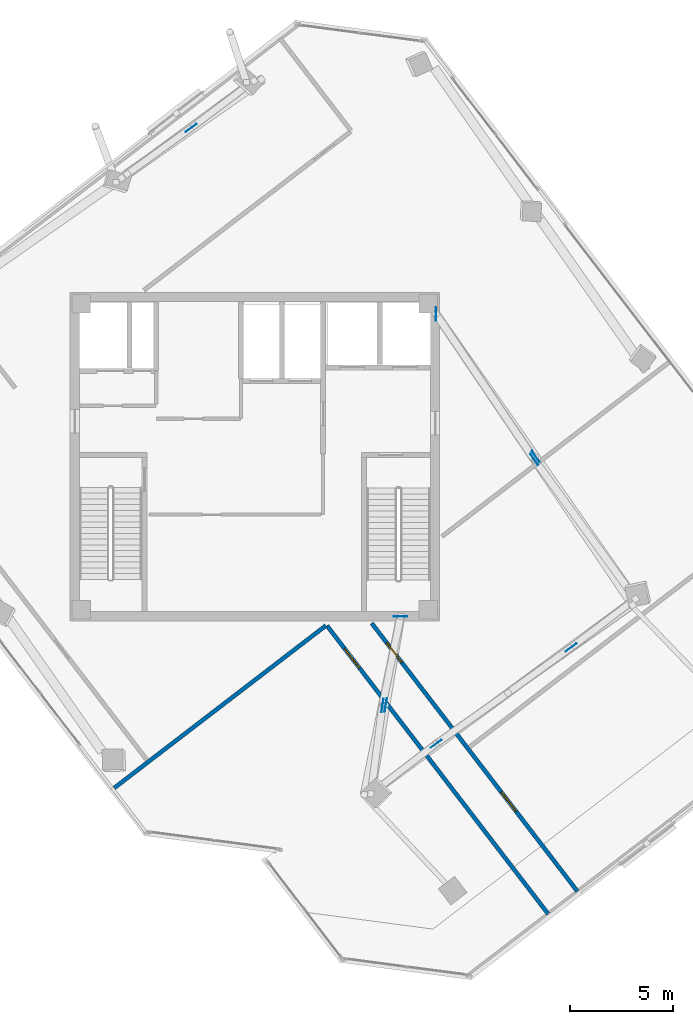
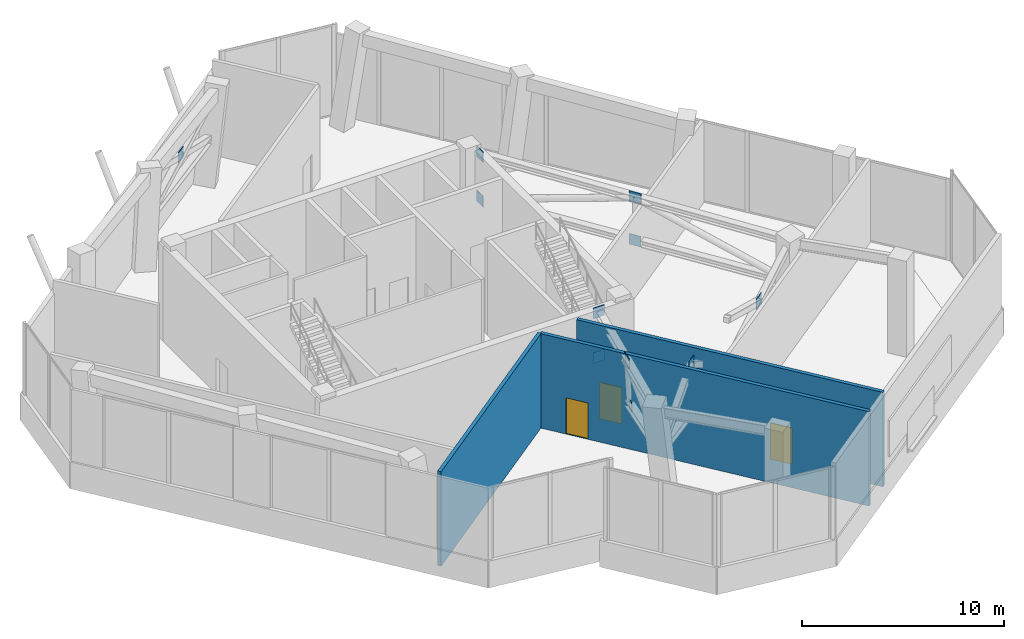
# One storey, part 14 of 19: 11 plates, 3 doors, 3 walls, 3 openings.
"""IFC4 building model written with IfcOpenShell, lengths in metres."""

from ifc_helpers import new_model, si_unit, direction, frame, frame_2d, origin, origin_2d, place, context, subcontext, project, spatial, rectangle, extrude, source, transform, mapped, material, layer, layer_set, type_object, element, fill, save


model = new_model("IFC4")

# Units and contexts
model_context = context("Model", 3, precision=1e-05, world=origin(), true_north=direction((0.0, 1.0)))
body_context = subcontext(model_context, "Body", "Model", "MODEL_VIEW")
ifc_project = project(units=[si_unit("LENGTHUNIT", "METRE"), si_unit("AREAUNIT", "SQUARE_METRE"), si_unit("VOLUMEUNIT", "CUBIC_METRE"), si_unit("PLANEANGLEUNIT", "RADIAN"), si_unit("MASSUNIT", "GRAM", prefix="KILO")], contexts=[model_context])

# Site, building, storey
site_placement = place(None, origin())
site = spatial("IfcSite", under=ifc_project, at=site_placement, CompositionType="ELEMENT")
building_placement = place(site_placement, origin())
building = spatial("IfcBuilding", under=site, at=building_placement, Name="Torre Montelarca", CompositionType="ELEMENT")
storey_placement = place(building_placement, frame((0.0, 0.0, 287.800048828125)))
storey = spatial("IfcBuildingStorey", under=building, at=storey_placement, Name="L65", CompositionType="ELEMENT", Elevation=287.800048828125)

# Plates
ifc_material_1 = material(Name="Steel ASTM A572 Grade 50", Category="steel")
ifc_layer_1 = layer(ifc_material_1, 0.02392578125, Name="Steel ASTM A572 Grade 50", Category="steel")
ifc_layer_set_1 = layer_set([ifc_layer_1], Name="Steel ASTM A572 Grade 50")
plate_type_1 = type_object("IfcPlateType", Name="PL-GUSSET-24", PredefinedType="SHEET", material=ifc_layer_set_1)
shared_shape_1 = source(origin(), body_context, "Body", "SweptSolid", [
    extrude(rectangle(XDim=0.64990234375, YDim=0.02392578125, at=origin_2d()), origin(), (0.0, 0.0, 1.0), 0.64990234375),
])
for number, where, z_axis, x_axis, name in (
    (1, (24.214599609375, 19.881103515625, 5.125), (0.0, 0.0, 1.0), (0.165391874421, 0.986227928968, 0.0), "L65 Outrigger Welded Node Plate 1-APX"),
    (2, (24.3759765625, 19.90185546875, 2.425048828125), (0.0, 0.0, 1.0), (0.165391874421, 0.986227928968, 0.0), "L65 Outrigger Welded Node Plate 1-BOT"),
    (3, (25.10009765625, 24.219970703125, 2.425048828125), (0.0, 0.0, 1.0), (1.0, 0.0, 0.0), "L65 Outrigger Core Wall Cast-In Embed Plate 1-CB"),
    (4, (25.10009765625, 24.219970703125, 5.125), (0.0, 0.0, 1.0), (1.0, 0.0, 0.0), "L65 Outrigger Core Wall Cast-In Embed Plate 1-CT"),
    (5, (31.60888671875, 31.860595703125, 5.125), (0.0, 0.0, 1.0), (-0.573290463408, 0.819352210326, 0.0), "L65 Outrigger Welded Node Plate 2-APX"),
    (6, (31.677490234375, 32.008056640625, 2.425048828125), (0.0, 0.0, 1.0), (-0.573290463408, 0.819352210326, 0.0), "L65 Outrigger Welded Node Plate 2-BOT"),
    (7, (26.820068359375, 38.949951171875, 2.425048828125), (0.0, 0.0, 1.0), (0.0, 1.0, 0.0), "L65 Outrigger Core Wall Cast-In Embed Plate 2-CB"),
    (8, (26.820068359375, 38.949951171875, 5.125), (0.0, 0.0, 1.0), (0.0, 1.0, 0.0), "L65 Outrigger Core Wall Cast-In Embed Plate 2-CT"),
):
    element("IfcPlate", number, at=place(storey_placement, frame(where, z_axis=z_axis, x_axis=x_axis)), inside=storey, type_object=plate_type_1, Name=name, PredefinedType="SHEET", context=body_context, shape_type="MappedRepresentation", body=[
        mapped(shared_shape_1, transform((0.0, 0.0, 0.0), scale=1.0)),
    ])
ifc_layer_2 = layer(ifc_material_1, 0.02392578125, Name="Steel ASTM A572 Grade 50", Category="steel")
ifc_layer_set_2 = layer_set([ifc_layer_2], Name="Steel ASTM A572 Grade 50")
plate_type_2 = type_object("IfcPlateType", Name="PL-GUSSET-24-EXT", PredefinedType="SHEET", material=ifc_layer_set_2)
shared_shape_2 = source(origin(), body_context, "Body", "SweptSolid", [
    extrude(rectangle(XDim=0.64990234375, YDim=0.02392578125, at=origin_2d()), origin(), (0.0, 0.0, 1.0), 0.64990234375),
])
for number, where, z_axis, x_axis, name in (
    (9, (14.891357421875, 48.00390625, 3.77490234375), (0.0, 0.0, 1.0), (0.80541134648, 0.592716258391, 0.0), "L65 Belt-Truss X-Brace Crossing Gusset Plate 1"),
    (10, (26.828125, 18.019287109375, 5.125), (0.0, 0.0, 1.0), (0.80541134648, 0.592716258391, 0.0), "L65 Belt-Truss Node Gusset Plate 2"),
    (11, (33.396728515625, 22.70751953125, 3.77490234375), (0.0, 0.0, 1.0), (0.805307885711, 0.592856820161, 0.0), "L65 Belt-Truss X-Brace Crossing Gusset Plate 3"),
):
    element("IfcPlate", number, at=place(storey_placement, frame(where, z_axis=z_axis, x_axis=x_axis)), inside=storey, type_object=plate_type_2, Name=name, PredefinedType="SHEET", context=body_context, shape_type="MappedRepresentation", body=[
        mapped(shared_shape_2, transform((0.0, 0.0, 0.0), scale=1.0)),
    ])

# Wall
ifc_material_2 = material(Name="Gypsum fireboard and rockwool on steel stud", Category="steel")
ifc_layer_3 = layer(ifc_material_2, 0.199951171875, Name="Gypsum fireboard and rockwool on steel stud", Category="steel")
ifc_layer_set_3 = layer_set([ifc_layer_3], Name="Gypsum fireboard and rockwool on steel stud")
wall_type = type_object("IfcWallType", Name="PW-FIRE-200", PredefinedType="SOLIDWALL", material=ifc_layer_set_3)
wall_1_placement = place(storey_placement, frame((11.16064453125, 15.873291015625, 0.0), z_axis=(0.0, 0.0, 1.0), x_axis=(0.793361083019, 0.608751338357, 0.0)))
element("IfcWall", 12, at=wall_1_placement, inside=storey, type_object=wall_type, Name="L65 Interior Partition W-L65-REFE", PredefinedType="SOLIDWALL", context=body_context, shape_type="SweptSolid", body=[
    extrude(rectangle(XDim=12.97998046875, YDim=0.199951171875, at=frame_2d((6.489990234375, 0.0))), origin(), (0.0, 0.0, 1.0), 5.719970703125),
])

# Wall, opening, door
wall_2_placement = place(storey_placement, frame((21.5146484375, 23.767578125, 0.0), z_axis=(0.0, 0.0, 1.0), x_axis=(0.608757342993, -0.793356475584, 0.0)))
wall_2 = element("IfcWall", 13, at=wall_2_placement, inside=storey, type_object=wall_type, Name="L65 Interior Partition W-L65-CHILN", PredefinedType="SOLIDWALL", context=body_context, shape_type="SweptSolid", body=[
    extrude(rectangle(XDim=17.6796875, YDim=0.199951171875, at=frame_2d((8.83984375, 0.0))), origin(), (0.0, 0.0, 1.0), 5.719970703125),
])
opening_1_placement = place(wall_2_placement, frame((1.39990234375, 0.0, 0.0)))
opening_1 = element("IfcOpeningElement", 14, at=opening_1_placement, cuts=wall_2, Name="Opening FD-120", PredefinedType="OPENING", context=body_context, shape_type="SweptSolid", body=[
    extrude(rectangle(XDim=1.199951171875, YDim=2.199951171875, at=frame_2d((0.60009765625, 1.10009765625))), frame((0.0, 0.10986328125, 0.0), z_axis=(0.0, -1.0, 0.0), x_axis=(1.0, 0.0, 0.0)), (0.0, 0.0, 1.0), 0.219970703125),
])
ifc_material_3 = material(Name="Galvanized steel fire door", Category="steel")
door_type = type_object("IfcDoorType", Name="DR-FIRE-120", OperationType="NOTDEFINED", PredefinedType="DOOR", material=ifc_material_3)
shared_shape_3 = source(origin(), body_context, "Body", "SweptSolid", [
    extrude(rectangle(XDim=1.199951171875, YDim=2.199951171875, at=frame_2d((0.60009765625, 1.10009765625))), frame((0.0, 0.02490234375, 0.0), z_axis=(0.0, -1.0, 0.0), x_axis=(1.0, 0.0, 0.0)), (0.0, 0.0, 1.0), 0.050048828125),
])
door_1_placement = place(opening_1_placement, origin())
door_1 = element("IfcDoor", 15, at=door_1_placement, inside=storey, type_object=door_type, Name="L65 Interior Door 05", OperationType="SINGLE_SWING_RIGHT", OverallHeight=2.199951171875, OverallWidth=1.199951171875, PredefinedType="DOOR", context=body_context, shape_type="MappedRepresentation", body=[
    mapped(shared_shape_3, transform((0.0, 0.0, 0.0), scale=1.0)),
])
fill(opening_1, door_1)

# Wall, openings, doors
wall_3_placement = place(storey_placement, frame((23.69091796875, 23.88818359375, 0.0), z_axis=(0.0, 0.0, 1.0), x_axis=(0.608754272677, -0.793358831487, 0.0)))
wall_3 = element("IfcWall", 16, at=wall_3_placement, inside=storey, type_object=wall_type, Name="L65 Interior Partition W-L65-AHUS", PredefinedType="SOLIDWALL", context=body_context, shape_type="SweptSolid", body=[
    extrude(rectangle(XDim=16.45068359375, YDim=0.199951171875, at=frame_2d((8.225341796875, 0.0))), origin(), (0.0, 0.0, 1.0), 5.719970703125),
])
opening_2_placement = place(wall_3_placement, frame((1.199951171875, 0.0, 0.0)))
opening_2 = element("IfcOpeningElement", 17, at=opening_2_placement, cuts=wall_3, Name="Opening FD-120", PredefinedType="OPENING", context=body_context, shape_type="SweptSolid", body=[
    extrude(rectangle(XDim=1.199951171875, YDim=2.199951171875, at=frame_2d((0.60009765625, 1.10009765625))), frame((0.0, 0.10986328125, 0.0), z_axis=(0.0, -1.0, 0.0), x_axis=(1.0, 0.0, 0.0)), (0.0, 0.0, 1.0), 0.219970703125),
])
opening_3_placement = place(wall_3_placement, frame((10.35009765625, 0.0, 0.0)))
opening_3 = element("IfcOpeningElement", 18, at=opening_3_placement, cuts=wall_3, Name="Opening FD-120", PredefinedType="OPENING", context=body_context, shape_type="SweptSolid", body=[
    extrude(rectangle(XDim=1.199951171875, YDim=2.199951171875, at=frame_2d((0.60009765625, 1.10009765625))), frame((0.0, 0.10986328125, 0.0), z_axis=(0.0, -1.0, 0.0), x_axis=(1.0, 0.0, 0.0)), (0.0, 0.0, 1.0), 0.219970703125),
])
door_2_placement = place(opening_2_placement, origin())
door_2 = element("IfcDoor", 19, at=door_2_placement, inside=storey, type_object=door_type, Name="L65 Interior Door 06", OperationType="SINGLE_SWING_RIGHT", OverallHeight=2.199951171875, OverallWidth=1.199951171875, PredefinedType="DOOR", context=body_context, shape_type="MappedRepresentation", body=[
    mapped(shared_shape_3, transform((0.0, 0.0, 0.0), scale=1.0)),
])
fill(opening_2, door_2)
door_3_placement = place(opening_3_placement, origin())
door_3 = element("IfcDoor", 20, at=door_3_placement, inside=storey, type_object=door_type, Name="L65 Interior Door 07", OperationType="SINGLE_SWING_LEFT", OverallHeight=2.199951171875, OverallWidth=1.199951171875, PredefinedType="DOOR", context=body_context, shape_type="MappedRepresentation", body=[
    mapped(shared_shape_3, transform((0.0, 0.0, 0.0), scale=1.0)),
])
fill(opening_3, door_3)

save(model, "model.ifc")
